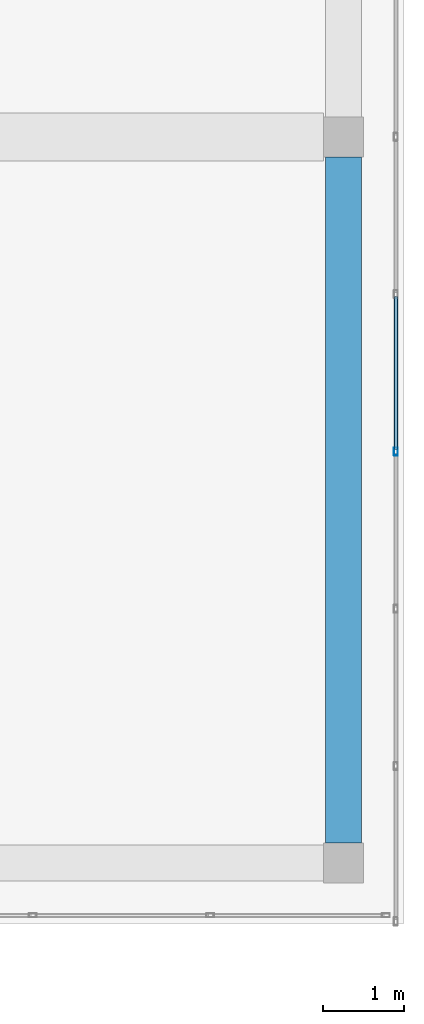
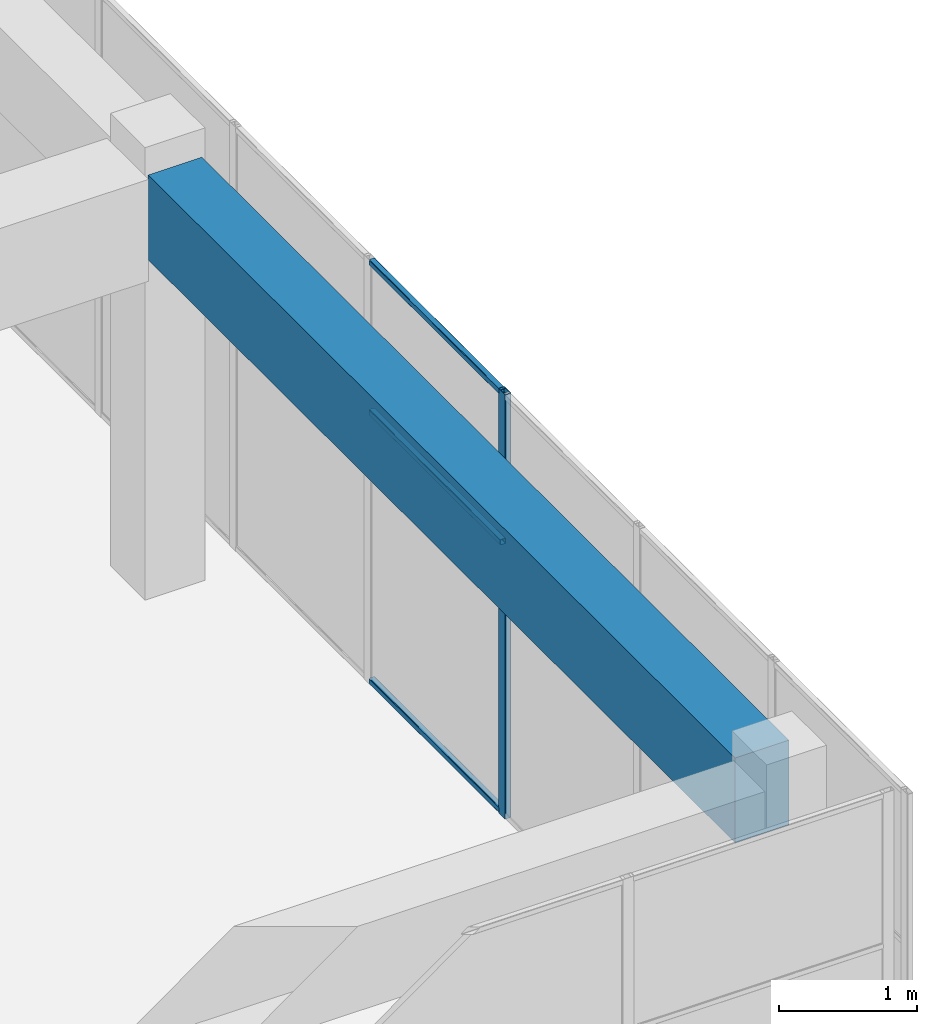
# One storey, part 15 of 34: 4 members, 1 beam, 1 element without a shape of its own.
"""IFC4 building model written with IfcOpenShell, lengths in metres."""

import ifcopenshell
import ifcopenshell.guid

model = None  # the IFC model being written
_history = None  # IfcOwnerHistory: only IFC2X3 demands one
_inside = {}  # id of a spatial element -> (the spatial element, [elements in it])
_under = {}  # id of a project, library or spatial element -> (it, [spatial elements below it])
_declared = {}  # id of a project -> (the project, [libraries it declares])
_typed = {}  # id of a type object -> (the type object, [elements of that type])
_made_of = {}  # id of a material, layer set ... -> (it, [elements and type objects made of it])


def new_model(schema):
    """Start an empty IFC model of exactly this schema.

    Asked for "IFC4X3", IfcOpenShell would pick the latest addendum, in which some entities
    have other attributes; the version numbers below select the first issue.
    IFC2X3 requires an IfcOwnerHistory on every rooted entity: one is made here for all.
    """
    global model, _history
    if schema == "IFC4X3":
        model = ifcopenshell.file(schema_version=(4, 3, 0, 0))
    else:
        model = ifcopenshell.file(schema=schema)
    _inside.clear()
    _under.clear()
    _declared.clear()
    _typed.clear()
    _made_of.clear()
    _history = None
    if model.schema == "IFC2X3":
        org = make("IfcOrganization", Name="unknown")
        user = make(
            "IfcPersonAndOrganization",
            ThePerson=make("IfcPerson", FamilyName="unknown"),
            TheOrganization=org,
        )
        app = make(
            "IfcApplication",
            ApplicationDeveloper=org,
            Version="unknown",
            ApplicationFullName="unknown",
            ApplicationIdentifier="unknown",
        )
        _history = make(
            "IfcOwnerHistory",
            OwningUser=user,
            OwningApplication=app,
            ChangeAction="ADDED",
            CreationDate=0,
        )
    return model


def make(cls, **values):
    """One entity of the class cls with the attributes given. An attribute that is None is left unset."""
    return model.create_entity(
        cls, **{name: value for name, value in values.items() if value is not None}
    )


def rooted(cls, **values):
    """An entity with a GlobalId (a new one), such as an element, a storey or a relation."""
    return make(cls, GlobalId=ifcopenshell.guid.new(), OwnerHistory=_history, **values)


def si_unit(unit_type, name, prefix=None):
    """IfcSIUnit, for example si_unit("LENGTHUNIT", "METRE", prefix="MILLI")."""
    return make("IfcSIUnit", UnitType=unit_type, Prefix=prefix, Name=name)


def assignment(units):
    """IfcUnitAssignment: the units of a project."""
    return None if units is None else make("IfcUnitAssignment", Units=units)


def point(xyz):
    """IfcCartesianPoint."""
    return None if xyz is None else make("IfcCartesianPoint", Coordinates=xyz)


def direction(xyz):
    """IfcDirection."""
    return None if xyz is None else make("IfcDirection", DirectionRatios=xyz)


def frame(location, z_axis=None, x_axis=None):
    """IfcAxis2Placement3D, a coordinate frame: its origin and axes. An axis left out is left unset."""
    return make(
        "IfcAxis2Placement3D",
        Location=point(location),
        Axis=direction(z_axis),
        RefDirection=direction(x_axis),
    )


def frame_2d(location, x_axis=None):
    """IfcAxis2Placement2D, a coordinate frame in the plane: its origin and x axis."""
    return make(
        "IfcAxis2Placement2D", Location=point(location), RefDirection=direction(x_axis)
    )


def origin():
    """The frame at (0, 0, 0) with its axes left unset."""
    return frame((0.0, 0.0, 0.0))


def origin_2d():
    """The frame at (0, 0) in the plane with its x axis left unset."""
    return frame_2d((0.0, 0.0))


def place(relative_to, where):
    """IfcLocalPlacement: puts the frame where relative to a parent placement (None: the world)."""
    return make(
        "IfcLocalPlacement", PlacementRelTo=relative_to, RelativePlacement=where
    )


def context(
    kind, dimensions, precision=None, world=None, true_north=None, identifier=None
):
    """IfcGeometricRepresentationContext, for example the 3D "Model" context."""
    return make(
        "IfcGeometricRepresentationContext",
        ContextIdentifier=identifier,
        ContextType=kind,
        CoordinateSpaceDimension=dimensions,
        Precision=precision,
        WorldCoordinateSystem=world,
        TrueNorth=true_north,
    )


def subcontext(parent, identifier, kind, view, scale=None):
    """IfcGeometricRepresentationSubContext, for example "Body" below "Model"."""
    return make(
        "IfcGeometricRepresentationSubContext",
        ContextIdentifier=identifier,
        ContextType=kind,
        ParentContext=parent,
        TargetScale=scale,
        TargetView=view,
    )


def project(units=None, contexts=None):
    """IfcProject with its units and contexts."""
    return rooted(
        "IfcProject",
        Name="project",
        RepresentationContexts=contexts,
        UnitsInContext=assignment(units),
    )


def spatial(cls, under=None, at=None, **own):
    """A site, building, storey or space (cls), placed at a placement, below another one or the project."""
    s = rooted(cls, ObjectPlacement=at, **own)
    if under is not None:
        _under.setdefault(under.id(), (under, []))[1].append(s)
    return s


def profile(cls, at=None, kind="AREA", **sizes):
    """A parametric profile (cls). Its sizes go by their IFC names, for example OverallWidth=200.0."""
    return make(cls, ProfileType=kind, Position=at, **sizes)


def rectangle(**sizes):
    """IfcRectangleProfileDef."""
    return profile("IfcRectangleProfileDef", **sizes)


def hollow_rectangle(**sizes):
    """IfcRectangleHollowProfileDef."""
    return profile("IfcRectangleHollowProfileDef", **sizes)


def extrude(swept, where, along, depth):
    """IfcExtrudedAreaSolid: the profile swept, set in the frame where, extruded along a direction by depth."""
    return make(
        "IfcExtrudedAreaSolid",
        SweptArea=swept,
        Position=where,
        ExtrudedDirection=direction(along),
        Depth=depth,
    )


def shape(context_of_items, identifier, shape_type, items):
    """IfcShapeRepresentation: the items that make up one representation, for example the "Body"."""
    return make(
        "IfcShapeRepresentation",
        ContextOfItems=context_of_items,
        RepresentationIdentifier=identifier,
        RepresentationType=shape_type,
        Items=items,
    )


def material(Name=None, Category=None):
    """IfcMaterial."""
    return make("IfcMaterial", Name=Name, Category=Category)


def layer(
    of_material, thickness, ventilated=None, Name=None, Category=None, Priority=None
):
    """IfcMaterialLayer: one layer of a wall or slab, of a material (None: an air gap)."""
    return make(
        "IfcMaterialLayer",
        Material=of_material,
        LayerThickness=thickness,
        IsVentilated=ventilated,
        Name=Name,
        Category=Category,
        Priority=Priority,
    )


def layer_set(layers, Name=None):
    """IfcMaterialLayerSet."""
    return make("IfcMaterialLayerSet", MaterialLayers=layers, LayerSetName=Name)


def material_profile(
    of_material, cross_section, Name=None, Category=None, Priority=None
):
    """IfcMaterialProfile: a cross section and its material."""
    return make(
        "IfcMaterialProfile",
        Name=Name,
        Material=of_material,
        Profile=cross_section,
        Priority=Priority,
        Category=Category,
    )


def profile_set(profiles, Name=None, composite=None):
    """IfcMaterialProfileSet."""
    return make(
        "IfcMaterialProfileSet",
        Name=Name,
        MaterialProfiles=profiles,
        CompositeProfile=composite,
    )


def made_of(thing, what):
    """Note that an element or type object is made of a material, layer set ...; save() writes the relation."""
    if what is not None:
        _made_of.setdefault(what.id(), (what, []))[1].append(thing)
    return thing


def type_object(cls, material=None, **own):
    """A type object (cls), such as IfcWallType, which elements share."""
    return made_of(rooted(cls, **own), material)


def element(
    cls,
    number,
    at=None,
    inside=None,
    cuts=None,
    type_object=None,
    material=None,
    context=None,
    identifier="Body",
    shape_type=None,
    held_by="IfcProductDefinitionShape",
    body=None,
    shapes=None,
    **own,
):
    """One element of the class cls, such as IfcWall. Its Tag is "e" and its number.

    at: its placement. inside: the storey or other place that contains it. cuts: it is an
    opening in that element (IfcRelVoidsElement). A single representation is given by context,
    identifier, shape_type and body (its items); several are given by shapes. held_by: the class
    of the entity that holds the representations. save() writes the other relations.
    """
    e = rooted(cls, Tag="e%d" % number, ObjectPlacement=at, **own)
    if body is not None:
        shapes = [shape(context, identifier, shape_type, body)]
    if shapes is not None:
        e.Representation = make(held_by, Representations=shapes)
    if inside is not None:
        _inside.setdefault(inside.id(), (inside, []))[1].append(e)
    if cuts is not None:
        rooted(
            "IfcRelVoidsElement", RelatingBuildingElement=cuts, RelatedOpeningElement=e
        )
    if type_object is not None:
        _typed.setdefault(type_object.id(), (type_object, []))[1].append(e)
    return made_of(e, material)


def aggregate(whole, parts):
    """IfcRelAggregates: a whole, such as a stair, and the parts it consists of."""
    return rooted("IfcRelAggregates", RelatingObject=whole, RelatedObjects=parts)


def save(model, path):
    """Write the relations noted so far, then the file.

    IfcRelAggregates (storeys below a building ...), IfcRelContainedInSpatialStructure (elements
    in a storey), IfcRelDefinesByType, IfcRelAssociatesMaterial and IfcRelDeclares: one each for
    every whole, place, type object, material and project.
    """
    for whole, parts in _under.values():
        aggregate(whole, parts)
    for where, things in _inside.values():
        rooted(
            "IfcRelContainedInSpatialStructure",
            RelatedElements=things,
            RelatingStructure=where,
        )
    for kind, things in _typed.values():
        rooted("IfcRelDefinesByType", RelatedObjects=things, RelatingType=kind)
    for what, things in _made_of.values():
        rooted("IfcRelAssociatesMaterial", RelatedObjects=things, RelatingMaterial=what)
    for by, libraries in _declared.values():
        rooted("IfcRelDeclares", RelatingContext=by, RelatedDefinitions=libraries)
    model.write(path)


model = new_model("IFC4")

# Units and contexts
model_context = context("Model", 3, precision=1e-05, world=origin(), true_north=direction((0.0, 1.0)))
body_context = subcontext(model_context, "Body", "Model", "MODEL_VIEW")
ifc_project = project(units=[si_unit("LENGTHUNIT", "METRE"), si_unit("AREAUNIT", "SQUARE_METRE"), si_unit("VOLUMEUNIT", "CUBIC_METRE"), si_unit("PLANEANGLEUNIT", "RADIAN"), si_unit("MASSUNIT", "GRAM", prefix="KILO")], contexts=[model_context])

# Site, building, storey
site_placement = place(None, origin())
site = spatial("IfcSite", under=ifc_project, at=site_placement, CompositionType="ELEMENT")
building_placement = place(site_placement, origin())
building = spatial("IfcBuilding", under=site, at=building_placement, Name="Tuart Plaza Theatre", CompositionType="ELEMENT")
storey_placement = place(building_placement, frame((0.0, 0.0, 53.5)))
storey = spatial("IfcBuildingStorey", under=building, at=storey_placement, Name="L13", CompositionType="ELEMENT", Elevation=53.5)

# Beam
ifc_material_1 = material(Name="Concrete N40 (40 MPa)", Category="concrete")
ifc_material_profile_1 = material_profile(ifc_material_1, rectangle(XDim=0.449951171875, YDim=0.75, at=origin_2d()), Name="BEAM 450x750 Concrete N40 (40 MPa)")
ifc_profile_set_1 = profile_set([ifc_material_profile_1], Name="Concrete N40 (40 MPa)")
beam_type = type_object("IfcBeamType", Name="BEAM 450x750 Concrete N40 (40 MPa)", PredefinedType="BEAM", material=ifc_profile_set_1)
beam_placement = place(storey_placement, frame((150.0, 65.25, 3.375), z_axis=(0.0, 1.0, 0.0), x_axis=(-1.0, 0.0, 0.0)))
element("IfcBeam", 1, at=beam_placement, inside=storey, type_object=beam_type, Name="RB345", PredefinedType="BEAM", context=body_context, shape_type="SweptSolid", body=[
    extrude(rectangle(XDim=0.449951171875, YDim=0.75, at=origin_2d()), origin(), (0.0, 0.0, 1.0), 8.5),
])

# Curtain wall, members
ifc_material_2 = material(Name="Aluminium and glass", Category="aluminium")
ifc_layer = layer(ifc_material_2, 0.10009765625)
ifc_layer_set = layer_set([ifc_layer], Name="CURTAIN WALL 2000 module")
curtain_wall_type = type_object("IfcCurtainWallType", Name="CURTAIN WALL 2000 module", PredefinedType="NOTDEFINED", material=ifc_layer_set)
curtain_wall_placement = place(storey_placement, origin())
curtain_wall = element("IfcCurtainWall", 2, at=curtain_wall_placement, inside=storey, type_object=curtain_wall_type, Name="CW114", PredefinedType="NOTDEFINED")
ifc_material_3 = material(Name="Aluminium 6063-T5", Category="aluminium")
ifc_material_profile_2 = material_profile(ifc_material_3, hollow_rectangle(XDim=0.050048828125, YDim=0.10009765625, WallThickness=0.00390625, InnerFilletRadius=0.00390625, OuterFilletRadius=0.008056640625, at=origin_2d()), Name="RHS 100x50x4")
ifc_profile_set_2 = profile_set([ifc_material_profile_2], Name="Aluminium 6063-T5")
member_type_1 = type_object("IfcMemberType", Name="MULLION RHS 100x50x4", PredefinedType="MULLION", material=ifc_profile_set_2)
member_1_placement = place(storey_placement, frame((150.64990234375, 70.10009765625, 0.0), z_axis=(0.0, 0.0, 1.0), x_axis=(-1.0, 0.0, 0.0)))
member_1 = element("IfcMember", 3, at=member_1_placement, type_object=member_type_1, Name="CW114 mullion 4", PredefinedType="MULLION", context=body_context, shape_type="SweptSolid", body=[
    extrude(hollow_rectangle(XDim=0.050048828125, YDim=0.10009765625, WallThickness=0.00390625, InnerFilletRadius=0.00390625, OuterFilletRadius=0.008056640625, at=origin_2d()), origin(), (0.0, 0.0, 1.0), 3.75),
])
ifc_material_4 = material(Name="Aluminium 6063-T5", Category="aluminium")
ifc_material_profile_3 = material_profile(ifc_material_4, hollow_rectangle(XDim=0.050048828125, YDim=0.050048828125, WallThickness=0.00390625, InnerFilletRadius=0.00390625, OuterFilletRadius=0.008056640625, at=origin_2d()), Name="RHS 50x50x4")
ifc_profile_set_3 = profile_set([ifc_material_profile_3], Name="Aluminium 6063-T5")
member_type_2 = type_object("IfcMemberType", Name="TRANSOM RHS 50x50x4", PredefinedType="USERDEFINED", material=ifc_profile_set_3)
member_2_placement = place(storey_placement, frame((150.64990234375, 70.125, 0.02490234375), z_axis=(0.0, 1.0, 0.0), x_axis=(-1.0, 0.0, 0.0)))
member_2 = element("IfcMember", 4, at=member_2_placement, type_object=member_type_2, Name="CW114 transom 4.1", ObjectType="TRANSOM", PredefinedType="USERDEFINED", context=body_context, shape_type="SweptSolid", body=[
    extrude(hollow_rectangle(XDim=0.050048828125, YDim=0.050048828125, WallThickness=0.00390625, InnerFilletRadius=0.00390625, OuterFilletRadius=0.008056640625, at=origin_2d()), origin(), (0.0, 0.0, 1.0), 1.89990234375),
])
member_3_placement = place(storey_placement, frame((150.64990234375, 70.125, 2.39990234375), z_axis=(0.0, 1.0, 0.0), x_axis=(-1.0, 0.0, 0.0)))
member_3 = element("IfcMember", 5, at=member_3_placement, type_object=member_type_2, Name="CW114 transom 4.2", ObjectType="TRANSOM", PredefinedType="USERDEFINED", context=body_context, shape_type="SweptSolid", body=[
    extrude(hollow_rectangle(XDim=0.050048828125, YDim=0.050048828125, WallThickness=0.00390625, InnerFilletRadius=0.00390625, OuterFilletRadius=0.008056640625, at=origin_2d()), origin(), (0.0, 0.0, 1.0), 1.89990234375),
])
member_4_placement = place(storey_placement, frame((150.64990234375, 70.125, 3.72509765625), z_axis=(0.0, 1.0, 0.0), x_axis=(-1.0, 0.0, 0.0)))
member_4 = element("IfcMember", 6, at=member_4_placement, type_object=member_type_2, Name="CW114 transom 4.3", ObjectType="TRANSOM", PredefinedType="USERDEFINED", context=body_context, shape_type="SweptSolid", body=[
    extrude(hollow_rectangle(XDim=0.050048828125, YDim=0.050048828125, WallThickness=0.00390625, InnerFilletRadius=0.00390625, OuterFilletRadius=0.008056640625, at=origin_2d()), origin(), (0.0, 0.0, 1.0), 1.89990234375),
])
aggregate(curtain_wall, [member_1, member_2, member_3, member_4])

save(model, "model.ifc")
